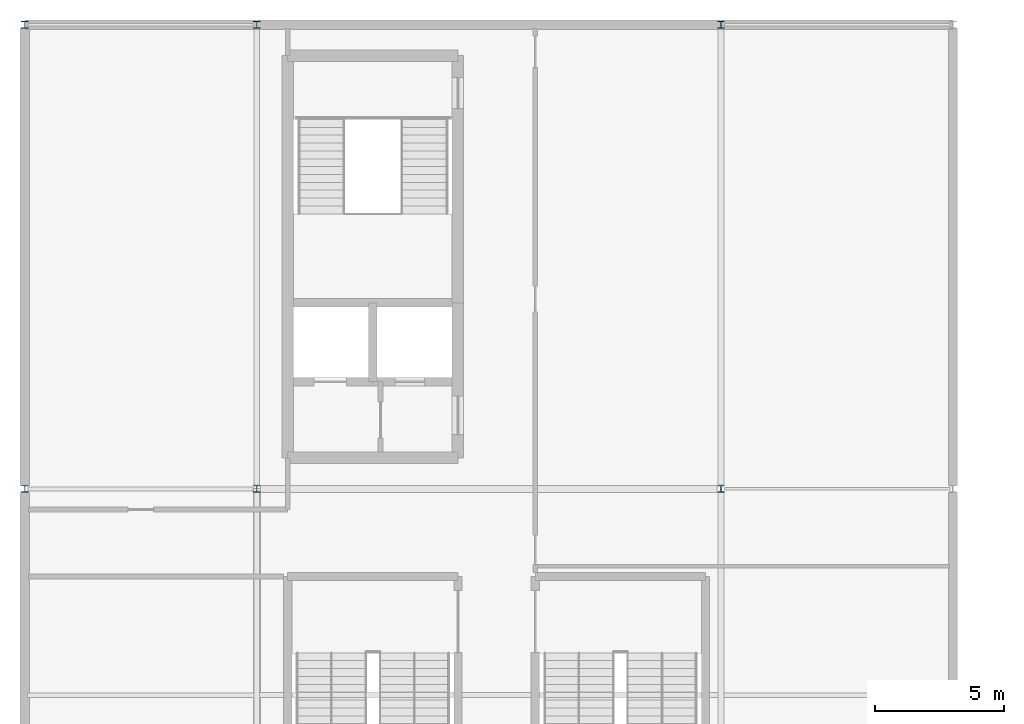
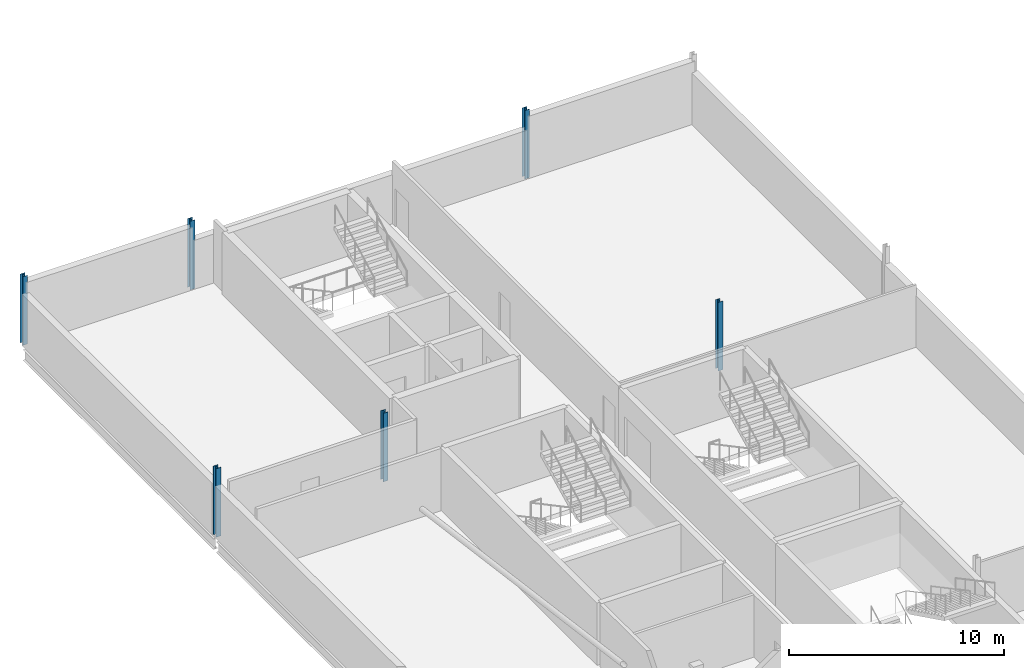
# One storey, part 4 of 30: 6 columns.
"""IFC4 building model written with IfcOpenShell, lengths in metres."""

from ifc_helpers import new_model, si_unit, direction, frame, origin, origin_2d, place, context, subcontext, project, spatial, i_section, extrude, material, material_profile, profile_set, type_object, element, save


model = new_model("IFC4")

# Units and contexts
model_context = context("Model", 3, precision=1e-05, world=origin(), true_north=direction((0.0, 1.0)))
body_context = subcontext(model_context, "Body", "Model", "MODEL_VIEW")
ifc_project = project(units=[si_unit("LENGTHUNIT", "METRE"), si_unit("AREAUNIT", "SQUARE_METRE"), si_unit("VOLUMEUNIT", "CUBIC_METRE"), si_unit("PLANEANGLEUNIT", "RADIAN"), si_unit("MASSUNIT", "GRAM", prefix="KILO")], contexts=[model_context])

# Site, building, storey
site_placement = place(None, origin())
site = spatial("IfcSite", under=ifc_project, at=site_placement, CompositionType="ELEMENT")
building_placement = place(site_placement, origin())
building = spatial("IfcBuilding", under=site, at=building_placement, Name="Kisiwana Market Hall", CompositionType="ELEMENT")
storey_placement = place(building_placement, frame((0.0, 0.0, 54.0)))
storey = spatial("IfcBuildingStorey", under=building, at=storey_placement, Name="L12", CompositionType="ELEMENT", Elevation=54.0)

# Columns
ifc_material = material(Name="Steel S355", Category="steel")
ifc_material_profile = material_profile(ifc_material, i_section(OverallWidth=0.25634765625, OverallDepth=0.26025390625, WebThickness=0.01025390625, FlangeThickness=0.017333984375, FilletRadius=0.0126953125, at=origin_2d()), Name="UC 254x254x89")
ifc_profile_set = profile_set([ifc_material_profile], Name="Steel S355")
column_type = type_object("IfcColumnType", Name="COL-STL-UC089", PredefinedType="COLUMN", material=ifc_profile_set)
for number, where, z_axis, x_axis, name in (
    (1, (0.0, 84.0, 0.0), (0.0, 0.0, 1.0), (1.0, 0.0, 0.0), "Column L/1 (L12) C-1365"),
    (2, (0.0, 102.0, 0.0), (0.0, 0.0, 1.0), (1.0, 0.0, 0.0), "Column N/1 (L12) C-1366"),
    (3, (9.0, 84.0, 0.0), (0.0, 0.0, 1.0), (1.0, 0.0, 0.0), "Column L/2 (L12) C-1369"),
    (4, (9.0, 102.0, 0.0), (0.0, 0.0, 1.0), (1.0, 0.0, 0.0), "Column N/2 (L12) C-1370"),
    (5, (27.0, 84.0, 0.0), (0.0, 0.0, 1.0), (1.0, 0.0, 0.0), "Column L/4 (L12) C-1374"),
    (6, (27.0, 102.0, 0.0), (0.0, 0.0, 1.0), (1.0, 0.0, 0.0), "Column N/4 (L12) C-1375"),
):
    element("IfcColumn", number, at=place(storey_placement, frame(where, z_axis=z_axis, x_axis=x_axis)), inside=storey, type_object=column_type, Name=name, PredefinedType="COLUMN", context=body_context, shape_type="SweptSolid", body=[
        extrude(i_section(OverallWidth=0.25634765625, OverallDepth=0.26025390625, WebThickness=0.01025390625, FlangeThickness=0.017333984375, FilletRadius=0.0126953125, at=origin_2d()), origin(), (0.0, 0.0, 1.0), 3.89990234375),
    ])

save(model, "model.ifc")
